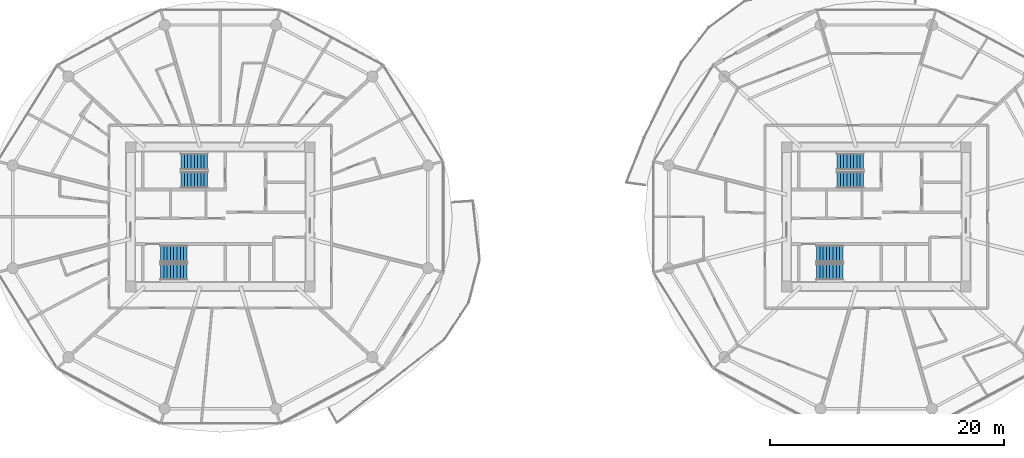
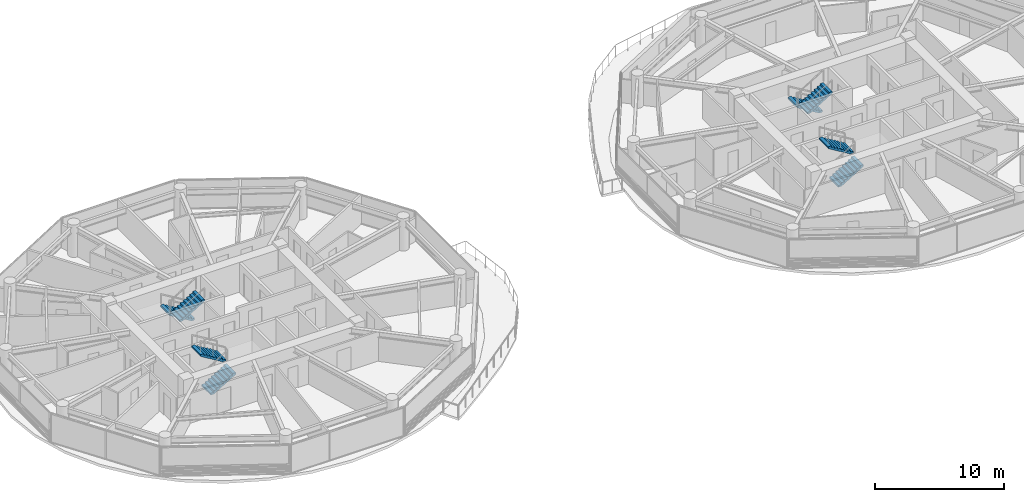
# One storey, part 21 of 26: 8 stair flights, 4 elements without a shape of their own.
"""IFC4 building model written with IfcOpenShell, lengths in metres."""

from ifc_helpers import new_model, si_unit, direction, frame, origin, place, context, subcontext, project, spatial, polyline, outline, extrude, material, type_object, element, aggregate, save


model = new_model("IFC4")

# Units and contexts
model_context = context("Model", 3, precision=1e-05, world=origin(), true_north=direction((0.0, 1.0)))
body_context = subcontext(model_context, "Body", "Model", "MODEL_VIEW")
ifc_project = project(units=[si_unit("LENGTHUNIT", "METRE"), si_unit("AREAUNIT", "SQUARE_METRE"), si_unit("VOLUMEUNIT", "CUBIC_METRE"), si_unit("PLANEANGLEUNIT", "RADIAN"), si_unit("MASSUNIT", "GRAM", prefix="KILO")], contexts=[model_context])

# Site, building, storey
site_placement = place(None, origin())
site = spatial("IfcSite", under=ifc_project, at=site_placement, CompositionType="ELEMENT")
building_placement = place(site_placement, origin())
building = spatial("IfcBuilding", under=site, at=building_placement, Name="Norrkilde Senior Care Towers", CompositionType="ELEMENT")
storey_placement = place(building_placement, frame((0.0, 0.0, 64.300048828125)))
storey = spatial("IfcBuildingStorey", under=building, at=storey_placement, Name="L19", CompositionType="ELEMENT", Elevation=64.300048828125)

# Stair, stair flights
ifc_material = material(Name="Concrete C45/55", Category="concrete")
stair_type = type_object("IfcStairType", Name="Core Protected Dogleg Stair Typical 3050", PredefinedType="HALF_TURN_STAIR", material=ifc_material)
stair_1_placement = place(storey_placement, origin())
stair_1 = element("IfcStair", 1, at=stair_1_placement, inside=storey, type_object=stair_type, Name="L19 Protected Core Stair W1", PredefinedType="HALF_TURN_STAIR")
stair_flight_type = type_object("IfcStairFlightType", Name="Core Protected Dogleg Stair Typical 3050 Flight", PredefinedType="STRAIGHT", material=ifc_material)
stair_flight_1_placement = place(storey_placement, frame((-29.10009765625, 4.699951171875, 0.0), z_axis=(0.0, 0.0, 1.0), x_axis=(-1.0, 0.0, 0.0)))
stair_flight_1 = element("IfcStairFlight", 2, at=stair_flight_1_placement, type_object=stair_flight_type, Name="ST-W1 flight 1", NumberOfRisers=9, NumberOfTreads=8, PredefinedType="STRAIGHT", RiserHeight=0.169444444, TreadLength=0.28, context=body_context, shape_type="SweptSolid", body=[
    extrude(outline(polyline([(0.0, 0.0), (0.0, 0.16943359375), (0.280029296875, 0.16943359375), (0.280029296875, 0.3388671875), (0.56005859375, 0.3388671875), (0.56005859375, 0.50830078125), (0.840087890625, 0.50830078125), (0.840087890625, 0.677734375), (1.1201171875, 0.677734375), (1.1201171875, 0.84716796875), (1.39990234375, 0.84716796875), (1.39990234375, 1.0166015625), (1.679931640625, 1.0166015625), (1.679931640625, 1.18603515625), (1.9599609375, 1.18603515625), (1.9599609375, 1.35546875), (2.239990234375, 1.35546875), (2.239990234375, 1.52490234375), (2.239990234375, 1.180419921875), (0.28955078125, 0.0), (0.0, 0.0)])), frame((0.0, 0.699951171875, 0.0), z_axis=(0.0, -1.0, 0.0), x_axis=(1.0, 0.0, 0.0)), (0.0, 0.0, 1.0), 1.39990234375),
])
stair_flight_2_placement = place(storey_placement, frame((-31.340087890625, 3.14990234375, 1.52490234375), z_axis=(0.0, 0.0, 1.0), x_axis=(1.0, 0.0, 0.0)))
stair_flight_2 = element("IfcStairFlight", 3, at=stair_flight_2_placement, type_object=stair_flight_type, Name="ST-W1 flight 2", NumberOfRisers=9, NumberOfTreads=8, PredefinedType="STRAIGHT", RiserHeight=0.169444444, TreadLength=0.28, context=body_context, shape_type="SweptSolid", body=[
    extrude(outline(polyline([(0.0, 0.0), (0.0, 0.16943359375), (0.280029296875, 0.16943359375), (0.280029296875, 0.3388671875), (0.56005859375, 0.3388671875), (0.56005859375, 0.50830078125), (0.840087890625, 0.50830078125), (0.840087890625, 0.677734375), (1.1201171875, 0.677734375), (1.1201171875, 0.84716796875), (1.39990234375, 0.84716796875), (1.39990234375, 1.0166015625), (1.679931640625, 1.0166015625), (1.679931640625, 1.18603515625), (1.9599609375, 1.18603515625), (1.9599609375, 1.35546875), (2.239990234375, 1.35546875), (2.239990234375, 1.52490234375), (2.239990234375, 1.180419921875), (0.28955078125, 0.0), (0.0, 0.0)])), frame((0.0, 0.699951171875, 0.0), z_axis=(0.0, -1.0, 0.0), x_axis=(1.0, 0.0, 0.0)), (0.0, 0.0, 1.0), 1.39990234375),
])
aggregate(stair_1, [stair_flight_1, stair_flight_2])

stair_2_placement = place(storey_placement, origin())
stair_2 = element("IfcStair", 4, at=stair_2_placement, inside=storey, type_object=stair_type, Name="L19 Protected Core Stair W2", PredefinedType="HALF_TURN_STAIR")
stair_flight_3_placement = place(storey_placement, frame((-33.10009765625, -4.699951171875, 0.0), z_axis=(0.0, 0.0, 1.0), x_axis=(1.0, 0.0, 0.0)))
stair_flight_3 = element("IfcStairFlight", 5, at=stair_flight_3_placement, type_object=stair_flight_type, Name="ST-W2 flight 1", NumberOfRisers=9, NumberOfTreads=8, PredefinedType="STRAIGHT", RiserHeight=0.169444444, TreadLength=0.28, context=body_context, shape_type="SweptSolid", body=[
    extrude(outline(polyline([(0.0, 0.0), (0.0, 0.16943359375), (0.280029296875, 0.16943359375), (0.280029296875, 0.3388671875), (0.56005859375, 0.3388671875), (0.56005859375, 0.50830078125), (0.840087890625, 0.50830078125), (0.840087890625, 0.677734375), (1.1201171875, 0.677734375), (1.1201171875, 0.84716796875), (1.39990234375, 0.84716796875), (1.39990234375, 1.0166015625), (1.679931640625, 1.0166015625), (1.679931640625, 1.18603515625), (1.9599609375, 1.18603515625), (1.9599609375, 1.35546875), (2.239990234375, 1.35546875), (2.239990234375, 1.52490234375), (2.239990234375, 1.180419921875), (0.28955078125, 0.0), (0.0, 0.0)])), frame((0.0, 0.699951171875, 0.0), z_axis=(0.0, -1.0, 0.0), x_axis=(1.0, 0.0, 0.0)), (0.0, 0.0, 1.0), 1.39990234375),
])
stair_flight_4_placement = place(storey_placement, frame((-30.860107421875, -3.14990234375, 1.52490234375), z_axis=(0.0, 0.0, 1.0), x_axis=(-1.0, 0.0, 0.0)))
stair_flight_4 = element("IfcStairFlight", 6, at=stair_flight_4_placement, type_object=stair_flight_type, Name="ST-W2 flight 2", NumberOfRisers=9, NumberOfTreads=8, PredefinedType="STRAIGHT", RiserHeight=0.169444444, TreadLength=0.28, context=body_context, shape_type="SweptSolid", body=[
    extrude(outline(polyline([(0.0, 0.0), (0.0, 0.16943359375), (0.280029296875, 0.16943359375), (0.280029296875, 0.3388671875), (0.56005859375, 0.3388671875), (0.56005859375, 0.50830078125), (0.840087890625, 0.50830078125), (0.840087890625, 0.677734375), (1.1201171875, 0.677734375), (1.1201171875, 0.84716796875), (1.39990234375, 0.84716796875), (1.39990234375, 1.0166015625), (1.679931640625, 1.0166015625), (1.679931640625, 1.18603515625), (1.9599609375, 1.18603515625), (1.9599609375, 1.35546875), (2.239990234375, 1.35546875), (2.239990234375, 1.52490234375), (2.239990234375, 1.180419921875), (0.28955078125, 0.0), (0.0, 0.0)])), frame((0.0, 0.699951171875, 0.0), z_axis=(0.0, -1.0, 0.0), x_axis=(1.0, 0.0, 0.0)), (0.0, 0.0, 1.0), 1.39990234375),
])
aggregate(stair_2, [stair_flight_3, stair_flight_4])

stair_3_placement = place(storey_placement, origin())
stair_3 = element("IfcStair", 7, at=stair_3_placement, inside=storey, type_object=stair_type, Name="L19 Protected Core Stair E1", PredefinedType="HALF_TURN_STAIR")
stair_flight_5_placement = place(storey_placement, frame((26.89990234375, 4.699951171875, 0.0), z_axis=(0.0, 0.0, 1.0), x_axis=(-1.0, 0.0, 0.0)))
stair_flight_5 = element("IfcStairFlight", 8, at=stair_flight_5_placement, type_object=stair_flight_type, Name="ST-E1 flight 1", NumberOfRisers=9, NumberOfTreads=8, PredefinedType="STRAIGHT", RiserHeight=0.169444444, TreadLength=0.28, context=body_context, shape_type="SweptSolid", body=[
    extrude(outline(polyline([(0.0, 0.0), (0.0, 0.16943359375), (0.280029296875, 0.16943359375), (0.280029296875, 0.3388671875), (0.56005859375, 0.3388671875), (0.56005859375, 0.50830078125), (0.840087890625, 0.50830078125), (0.840087890625, 0.677734375), (1.1201171875, 0.677734375), (1.1201171875, 0.84716796875), (1.39990234375, 0.84716796875), (1.39990234375, 1.0166015625), (1.679931640625, 1.0166015625), (1.679931640625, 1.18603515625), (1.9599609375, 1.18603515625), (1.9599609375, 1.35546875), (2.239990234375, 1.35546875), (2.239990234375, 1.52490234375), (2.239990234375, 1.180419921875), (0.28955078125, 0.0), (0.0, 0.0)])), frame((0.0, 0.699951171875, 0.0), z_axis=(0.0, -1.0, 0.0), x_axis=(1.0, 0.0, 0.0)), (0.0, 0.0, 1.0), 1.39990234375),
])
stair_flight_6_placement = place(storey_placement, frame((24.659912109375, 3.14990234375, 1.52490234375), z_axis=(0.0, 0.0, 1.0), x_axis=(1.0, 0.0, 0.0)))
stair_flight_6 = element("IfcStairFlight", 9, at=stair_flight_6_placement, type_object=stair_flight_type, Name="ST-E1 flight 2", NumberOfRisers=9, NumberOfTreads=8, PredefinedType="STRAIGHT", RiserHeight=0.169444444, TreadLength=0.28, context=body_context, shape_type="SweptSolid", body=[
    extrude(outline(polyline([(0.0, 0.0), (0.0, 0.16943359375), (0.280029296875, 0.16943359375), (0.280029296875, 0.3388671875), (0.56005859375, 0.3388671875), (0.56005859375, 0.50830078125), (0.840087890625, 0.50830078125), (0.840087890625, 0.677734375), (1.1201171875, 0.677734375), (1.1201171875, 0.84716796875), (1.39990234375, 0.84716796875), (1.39990234375, 1.0166015625), (1.679931640625, 1.0166015625), (1.679931640625, 1.18603515625), (1.9599609375, 1.18603515625), (1.9599609375, 1.35546875), (2.239990234375, 1.35546875), (2.239990234375, 1.52490234375), (2.239990234375, 1.180419921875), (0.28955078125, 0.0), (0.0, 0.0)])), frame((0.0, 0.699951171875, 0.0), z_axis=(0.0, -1.0, 0.0), x_axis=(1.0, 0.0, 0.0)), (0.0, 0.0, 1.0), 1.39990234375),
])
aggregate(stair_3, [stair_flight_5, stair_flight_6])

stair_4_placement = place(storey_placement, origin())
stair_4 = element("IfcStair", 10, at=stair_4_placement, inside=storey, type_object=stair_type, Name="L19 Protected Core Stair E2", PredefinedType="HALF_TURN_STAIR")
stair_flight_7_placement = place(storey_placement, frame((22.89990234375, -4.699951171875, 0.0), z_axis=(0.0, 0.0, 1.0), x_axis=(1.0, 0.0, 0.0)))
stair_flight_7 = element("IfcStairFlight", 11, at=stair_flight_7_placement, type_object=stair_flight_type, Name="ST-E2 flight 1", NumberOfRisers=9, NumberOfTreads=8, PredefinedType="STRAIGHT", RiserHeight=0.169444444, TreadLength=0.28, context=body_context, shape_type="SweptSolid", body=[
    extrude(outline(polyline([(0.0, 0.0), (0.0, 0.16943359375), (0.280029296875, 0.16943359375), (0.280029296875, 0.3388671875), (0.56005859375, 0.3388671875), (0.56005859375, 0.50830078125), (0.840087890625, 0.50830078125), (0.840087890625, 0.677734375), (1.1201171875, 0.677734375), (1.1201171875, 0.84716796875), (1.39990234375, 0.84716796875), (1.39990234375, 1.0166015625), (1.679931640625, 1.0166015625), (1.679931640625, 1.18603515625), (1.9599609375, 1.18603515625), (1.9599609375, 1.35546875), (2.239990234375, 1.35546875), (2.239990234375, 1.52490234375), (2.239990234375, 1.180419921875), (0.28955078125, 0.0), (0.0, 0.0)])), frame((0.0, 0.699951171875, 0.0), z_axis=(0.0, -1.0, 0.0), x_axis=(1.0, 0.0, 0.0)), (0.0, 0.0, 1.0), 1.39990234375),
])
stair_flight_8_placement = place(storey_placement, frame((25.139892578125, -3.14990234375, 1.52490234375), z_axis=(0.0, 0.0, 1.0), x_axis=(-1.0, 0.0, 0.0)))
stair_flight_8 = element("IfcStairFlight", 12, at=stair_flight_8_placement, type_object=stair_flight_type, Name="ST-E2 flight 2", NumberOfRisers=9, NumberOfTreads=8, PredefinedType="STRAIGHT", RiserHeight=0.169444444, TreadLength=0.28, context=body_context, shape_type="SweptSolid", body=[
    extrude(outline(polyline([(0.0, 0.0), (0.0, 0.16943359375), (0.280029296875, 0.16943359375), (0.280029296875, 0.3388671875), (0.56005859375, 0.3388671875), (0.56005859375, 0.50830078125), (0.840087890625, 0.50830078125), (0.840087890625, 0.677734375), (1.1201171875, 0.677734375), (1.1201171875, 0.84716796875), (1.39990234375, 0.84716796875), (1.39990234375, 1.0166015625), (1.679931640625, 1.0166015625), (1.679931640625, 1.18603515625), (1.9599609375, 1.18603515625), (1.9599609375, 1.35546875), (2.239990234375, 1.35546875), (2.239990234375, 1.52490234375), (2.239990234375, 1.180419921875), (0.28955078125, 0.0), (0.0, 0.0)])), frame((0.0, 0.699951171875, 0.0), z_axis=(0.0, -1.0, 0.0), x_axis=(1.0, 0.0, 0.0)), (0.0, 0.0, 1.0), 1.39990234375),
])
aggregate(stair_4, [stair_flight_7, stair_flight_8])

save(model, "model.ifc")
